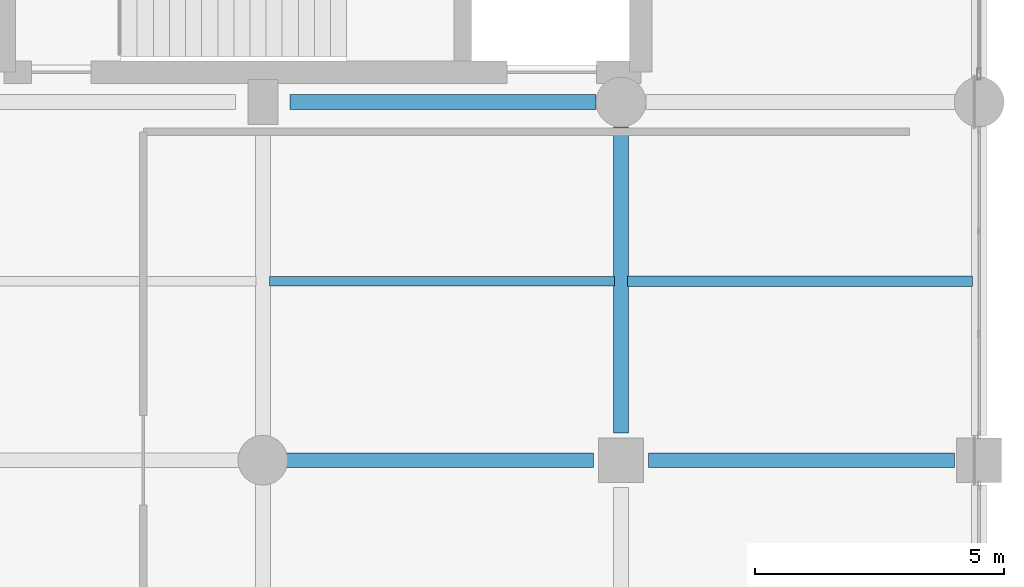
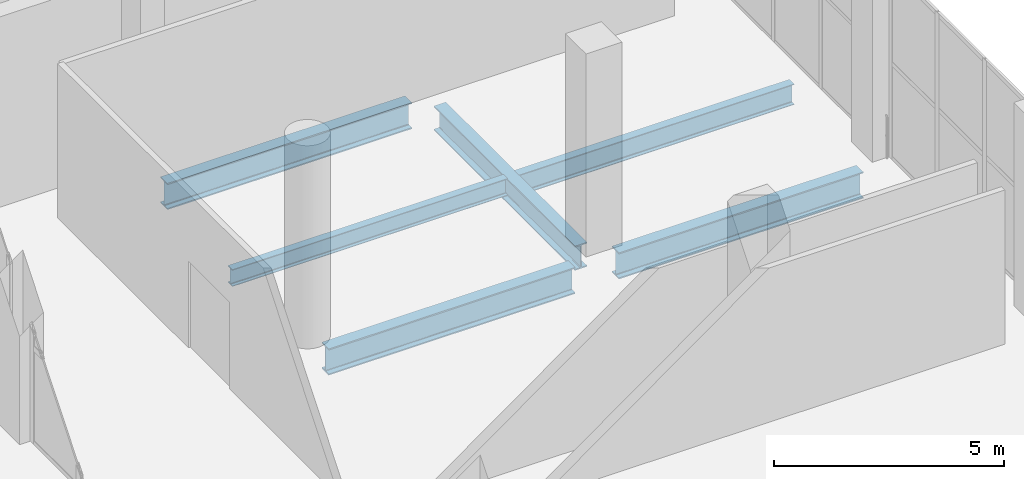
# One storey, part 25 of 58: 6 beams.
"""IFC4 building model written with IfcOpenShell, lengths in metres."""

from ifc_helpers import new_model, si_unit, direction, frame, origin, origin_2d, place, context, subcontext, project, spatial, i_section, extrude, material, material_profile, profile_set, type_object, element, save


model = new_model("IFC4")

# Units and contexts
model_context = context("Model", 3, precision=1e-05, world=origin(), true_north=direction((0.0, 1.0)))
body_context = subcontext(model_context, "Body", "Model", "MODEL_VIEW")
ifc_project = project(units=[si_unit("LENGTHUNIT", "METRE"), si_unit("AREAUNIT", "SQUARE_METRE"), si_unit("VOLUMEUNIT", "CUBIC_METRE"), si_unit("PLANEANGLEUNIT", "RADIAN"), si_unit("MASSUNIT", "GRAM", prefix="KILO")], contexts=[model_context])

# Site, building, storey
site_placement = place(None, origin())
site = spatial("IfcSite", under=ifc_project, at=site_placement, CompositionType="ELEMENT")
building_placement = place(site_placement, origin())
building = spatial("IfcBuilding", under=site, at=building_placement, Name="Qandorah Velis Arena", CompositionType="ELEMENT")
storey_placement = place(building_placement, origin())
storey = spatial("IfcBuildingStorey", under=building, at=storey_placement, Name="L00", CompositionType="ELEMENT", Elevation=0.0)

# Beams
ifc_material = material(Name="Steel S355", Category="steel")
ifc_material_profile_1 = material_profile(ifc_material, i_section(OverallWidth=0.300048828125, OverallDepth=0.64990234375, WebThickness=0.01611328125, FlangeThickness=0.031005859375, FilletRadius=0.027099609375, at=origin_2d()), Name="HEB 650")
ifc_profile_set_1 = profile_set([ifc_material_profile_1], Name="Steel S355")
beam_type_1 = type_object("IfcBeamType", Name="STR-BM-HEB650", PredefinedType="BEAM", material=ifc_profile_set_1)
beam_1_placement = place(storey_placement, frame((165.60009765625, 72.550048828125, -0.7451171875), z_axis=(0.0, 1.0, 0.0), x_axis=(-1.0, 0.0, 0.0)))
element("IfcBeam", 1, at=beam_1_placement, inside=storey, type_object=beam_type_1, Name="Primary floor girder L00 Y-519", PredefinedType="BEAM", context=body_context, shape_type="SweptSolid", body=[
    extrude(i_section(OverallWidth=0.300048828125, OverallDepth=0.64990234375, WebThickness=0.01611328125, FlangeThickness=0.031005859375, FilletRadius=0.027099609375, at=origin_2d()), origin(), (0.0, 0.0, 1.0), 6.14990234375),
])
ifc_material_profile_2 = material_profile(ifc_material, i_section(OverallWidth=0.300048828125, OverallDepth=0.699951171875, WebThickness=0.01708984375, FlangeThickness=0.031982421875, FilletRadius=0.027099609375, at=origin_2d()), Name="HEB 700")
ifc_profile_set_2 = profile_set([ifc_material_profile_2], Name="Steel S355")
beam_type_2 = type_object("IfcBeamType", Name="STR-BM-HEB700", PredefinedType="BEAM", material=ifc_profile_set_2)
beam_2_placement = place(storey_placement, frame((158.85009765625, 72.0, -0.77001953125), z_axis=(1.0, 0.0, 0.0), x_axis=(0.0, 1.0, 0.0)))
element("IfcBeam", 2, at=beam_2_placement, inside=storey, type_object=beam_type_2, Name="Primary floor girder L00 X-143", PredefinedType="BEAM", context=body_context, shape_type="SweptSolid", body=[
    extrude(i_section(OverallWidth=0.300048828125, OverallDepth=0.699951171875, WebThickness=0.01708984375, FlangeThickness=0.031982421875, FilletRadius=0.027099609375, at=origin_2d()), origin(), (0.0, 0.0, 1.0), 6.199951171875),
])
for number, where, z_axis, x_axis, name in (
    (3, (166.14990234375, 72.0, -0.77001953125), (1.0, 0.0, 0.0), (0.0, 1.0, 0.0), "Primary floor girder L00 X-144"),
    (4, (158.949951171875, 79.199951171875, -0.77001953125), (1.0, 0.0, 0.0), (0.0, 1.0, 0.0), "Primary floor girder L00 X-150"),
):
    element("IfcBeam", number, at=place(storey_placement, frame(where, z_axis=z_axis, x_axis=x_axis)), inside=storey, type_object=beam_type_2, Name=name, PredefinedType="BEAM", context=body_context, shape_type="SweptSolid", body=[
        extrude(i_section(OverallWidth=0.300048828125, OverallDepth=0.699951171875, WebThickness=0.01708984375, FlangeThickness=0.031982421875, FilletRadius=0.027099609375, at=origin_2d()), origin(), (0.0, 0.0, 1.0), 6.150146484375),
    ])
ifc_material_profile_3 = material_profile(ifc_material, i_section(OverallWidth=0.18994140625, OverallDepth=0.449951171875, WebThickness=0.009521484375, FlangeThickness=0.0146484375, FilletRadius=0.02099609375, at=origin_2d()), Name="IPE 450")
ifc_profile_set_3 = profile_set([ifc_material_profile_3], Name="Steel S355")
beam_type_3 = type_object("IfcBeamType", Name="STR-JST-IPE450", PredefinedType="JOIST", material=ifc_profile_set_3)
beam_3_placement = place(storey_placement, frame((158.534912109375, 75.60009765625, -0.64501953125), z_axis=(1.0, 0.0, 0.0), x_axis=(0.0, 1.0, 0.0)))
element("IfcBeam", 5, at=beam_3_placement, inside=storey, type_object=beam_type_3, Name="Secondary floor joist L00-199", PredefinedType="JOIST", context=body_context, shape_type="SweptSolid", body=[
    extrude(i_section(OverallWidth=0.18994140625, OverallDepth=0.449951171875, WebThickness=0.009521484375, FlangeThickness=0.0146484375, FilletRadius=0.02099609375, at=origin_2d()), origin(), (0.0, 0.0, 1.0), 6.93017578125),
])
ifc_material_profile_4 = material_profile(ifc_material, i_section(OverallWidth=0.2099609375, OverallDepth=0.550048828125, WebThickness=0.010986328125, FlangeThickness=0.01708984375, FilletRadius=0.02392578125, at=origin_2d()), Name="IPE 550")
ifc_profile_set_4 = profile_set([ifc_material_profile_4], Name="Steel S355")
beam_type_4 = type_object("IfcBeamType", Name="STR-JST-IPE550", PredefinedType="JOIST", material=ifc_profile_set_4)
beam_4_placement = place(storey_placement, frame((165.735107421875, 75.60009765625, -0.695068359375), z_axis=(1.0, 0.0, 0.0), x_axis=(0.0, 1.0, 0.0)))
element("IfcBeam", 6, at=beam_4_placement, inside=storey, type_object=beam_type_4, Name="Secondary floor joist L00-203", PredefinedType="JOIST", context=body_context, shape_type="SweptSolid", body=[
    extrude(i_section(OverallWidth=0.2099609375, OverallDepth=0.550048828125, WebThickness=0.010986328125, FlangeThickness=0.01708984375, FilletRadius=0.02392578125, at=origin_2d()), origin(), (0.0, 0.0, 1.0), 6.929931640625),
])

save(model, "model.ifc")
